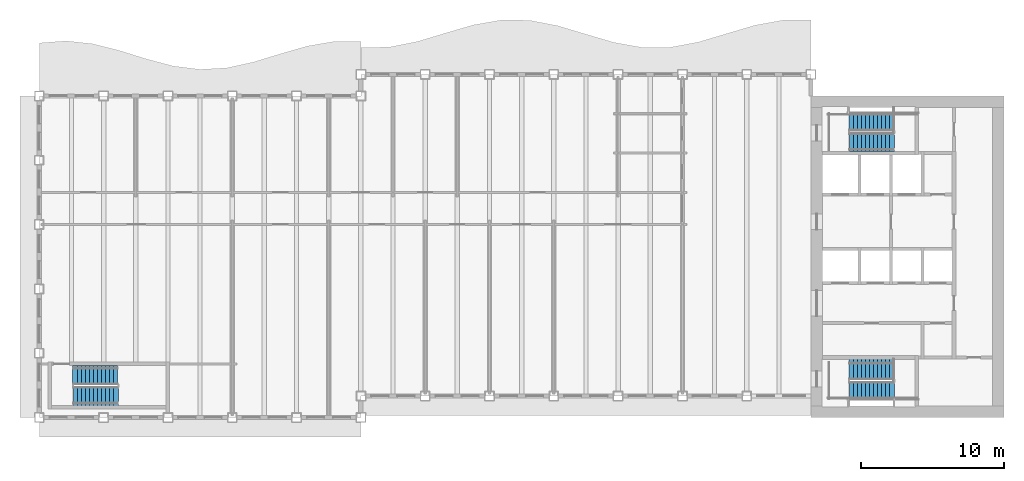
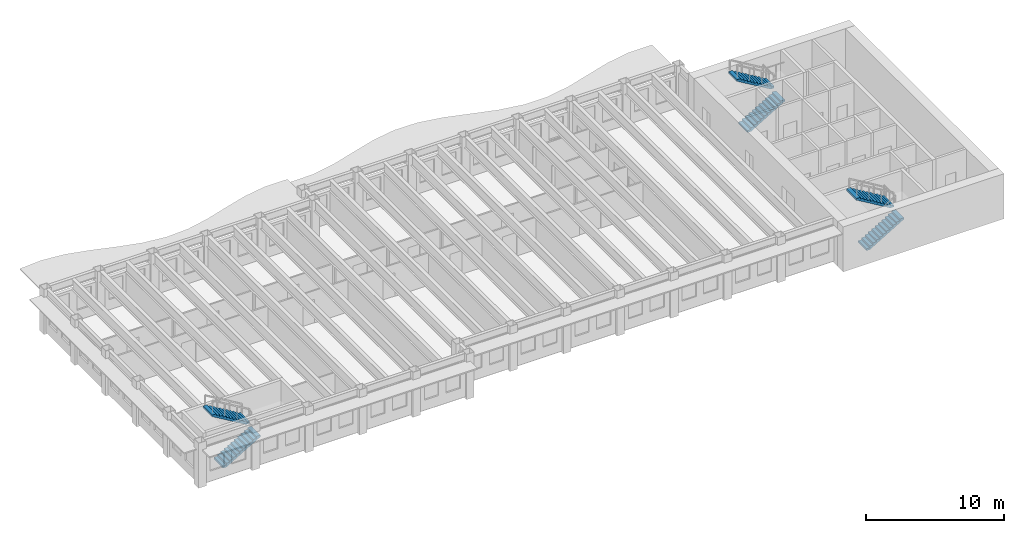
# One storey, part 7 of 12: 6 stair flights, 3 elements without a shape of their own.
"""IFC4 building model written with IfcOpenShell, lengths in metres."""

from ifc_helpers import new_model, si_unit, direction, frame, origin, place, context, subcontext, project, spatial, polyline, outline, extrude, material, type_object, element, aggregate, save


model = new_model("IFC4")

# Units and contexts
model_context = context("Model", 3, precision=1e-05, world=origin(), true_north=direction((0.0, 1.0)))
body_context = subcontext(model_context, "Body", "Model", "MODEL_VIEW")
ifc_project = project(units=[si_unit("LENGTHUNIT", "METRE"), si_unit("AREAUNIT", "SQUARE_METRE"), si_unit("VOLUMEUNIT", "CUBIC_METRE"), si_unit("PLANEANGLEUNIT", "RADIAN"), si_unit("MASSUNIT", "GRAM", prefix="KILO")], contexts=[model_context])

# Site, building, storey
site_placement = place(None, origin())
site = spatial("IfcSite", under=ifc_project, at=site_placement, CompositionType="ELEMENT")
building_placement = place(site_placement, origin())
building = spatial("IfcBuilding", under=site, at=building_placement, Name="Sennacour Bend Tower", CompositionType="ELEMENT")
storey_placement = place(building_placement, frame((0.0, 0.0, 285.0)))
storey = spatial("IfcBuildingStorey", under=building, at=storey_placement, Name="L66", CompositionType="ELEMENT", Elevation=285.0)

# Stair, stair flights
ifc_material = material(Name="Concrete C40/50", Category="concrete")
stair_type = type_object("IfcStairType", Name="ST-DOGLEG", PredefinedType="HALF_TURN_STAIR", material=ifc_material)
stair_1_placement = place(storey_placement, origin())
stair_1 = element("IfcStair", 1, at=stair_1_placement, inside=storey, type_object=stair_type, Name="L66 Exit stair A1", PredefinedType="HALF_TURN_STAIR")
stair_flight_type = type_object("IfcStairFlightType", Name="SFL-RC", PredefinedType="STRAIGHT", material=ifc_material)
stair_flight_1_placement = place(storey_placement, frame((56.699951171875, 1.89990234375, 0.0), z_axis=(0.0, 0.0, 1.0), x_axis=(1.0, 0.0, 0.0)))
stair_flight_1 = element("IfcStairFlight", 2, at=stair_flight_1_placement, type_object=stair_flight_type, Name="SA1 flight 1", NumberOfRisers=12, NumberOfTreads=11, PredefinedType="STRAIGHT", RiserHeight=0.166666667, TreadLength=0.28, context=body_context, shape_type="SweptSolid", body=[
    extrude(outline(polyline([(0.0, 0.0), (0.0, 0.166748046875), (0.280029296875, 0.166748046875), (0.280029296875, 0.333251953125), (0.56005859375, 0.333251953125), (0.56005859375, 0.5), (0.840087890625, 0.5), (0.840087890625, 0.666748046875), (1.1201171875, 0.666748046875), (1.1201171875, 0.833251953125), (1.39990234375, 0.833251953125), (1.39990234375, 1.0), (1.679931640625, 1.0), (1.679931640625, 1.166748046875), (1.9599609375, 1.166748046875), (1.9599609375, 1.333251953125), (2.239990234375, 1.333251953125), (2.239990234375, 1.5), (2.52001953125, 1.5), (2.52001953125, 1.666748046875), (2.800048828125, 1.666748046875), (2.800048828125, 1.833251953125), (3.080078125, 1.833251953125), (3.139892578125, 1.833251953125), (3.139892578125, 1.658935546875), (3.080078125, 1.658935546875), (0.29296875, 0.0), (0.0, 0.0)])), frame((0.0, 0.60009765625, 0.0), z_axis=(0.0, -1.0, 0.0), x_axis=(1.0, 0.0, 0.0)), (0.0, 0.0, 1.0), 1.199951171875),
])
stair_flight_2_placement = place(storey_placement, frame((59.780029296875, 3.37744140625, 2.0), z_axis=(0.0, 0.0, 1.0), x_axis=(-1.0, 0.0, 0.0)))
stair_flight_2 = element("IfcStairFlight", 3, at=stair_flight_2_placement, type_object=stair_flight_type, Name="SA1 flight 2", NumberOfRisers=12, NumberOfTreads=11, PredefinedType="STRAIGHT", RiserHeight=0.166666667, TreadLength=0.28, context=body_context, shape_type="SweptSolid", body=[
    extrude(outline(polyline([(0.0, 0.0), (0.0, 0.166748046875), (0.280029296875, 0.166748046875), (0.280029296875, 0.333251953125), (0.56005859375, 0.333251953125), (0.56005859375, 0.5), (0.840087890625, 0.5), (0.840087890625, 0.666748046875), (1.1201171875, 0.666748046875), (1.1201171875, 0.833251953125), (1.39990234375, 0.833251953125), (1.39990234375, 1.0), (1.679931640625, 1.0), (1.679931640625, 1.166748046875), (1.9599609375, 1.166748046875), (1.9599609375, 1.333251953125), (2.239990234375, 1.333251953125), (2.239990234375, 1.5), (2.52001953125, 1.5), (2.52001953125, 1.666748046875), (2.800048828125, 1.666748046875), (2.800048828125, 1.833251953125), (3.080078125, 1.833251953125), (3.139892578125, 1.833251953125), (3.139892578125, 1.658935546875), (3.080078125, 1.658935546875), (0.29296875, 0.0), (0.0, 0.0)])), frame((0.0, 0.7275390625, 0.0), z_axis=(0.0, -1.0, 0.0), x_axis=(1.0, 0.0, 0.0)), (0.0, 0.0, 1.0), 1.455078125),
])
aggregate(stair_1, [stair_flight_1, stair_flight_2])

stair_2_placement = place(storey_placement, origin())
stair_2 = element("IfcStair", 4, at=stair_2_placement, inside=storey, type_object=stair_type, Name="L66 Exit stair A2", PredefinedType="HALF_TURN_STAIR")
stair_flight_3_placement = place(storey_placement, frame((56.699951171875, 19.24755859375, 0.0), z_axis=(0.0, 0.0, 1.0), x_axis=(1.0, 0.0, 0.0)))
stair_flight_3 = element("IfcStairFlight", 5, at=stair_flight_3_placement, type_object=stair_flight_type, Name="SA2 flight 1", NumberOfRisers=12, NumberOfTreads=11, PredefinedType="STRAIGHT", RiserHeight=0.166666667, TreadLength=0.28, context=body_context, shape_type="SweptSolid", body=[
    extrude(outline(polyline([(0.0, 0.0), (0.0, 0.166748046875), (0.280029296875, 0.166748046875), (0.280029296875, 0.333251953125), (0.56005859375, 0.333251953125), (0.56005859375, 0.5), (0.840087890625, 0.5), (0.840087890625, 0.666748046875), (1.1201171875, 0.666748046875), (1.1201171875, 0.833251953125), (1.39990234375, 0.833251953125), (1.39990234375, 1.0), (1.679931640625, 1.0), (1.679931640625, 1.166748046875), (1.9599609375, 1.166748046875), (1.9599609375, 1.333251953125), (2.239990234375, 1.333251953125), (2.239990234375, 1.5), (2.52001953125, 1.5), (2.52001953125, 1.666748046875), (2.800048828125, 1.666748046875), (2.800048828125, 1.833251953125), (3.080078125, 1.833251953125), (3.139892578125, 1.833251953125), (3.139892578125, 1.658935546875), (3.080078125, 1.658935546875), (0.29296875, 0.0), (0.0, 0.0)])), frame((0.0, 0.65234375, 0.0), z_axis=(0.0, -1.0, 0.0), x_axis=(1.0, 0.0, 0.0)), (0.0, 0.0, 1.0), 1.304931640625),
])
stair_flight_4_placement = place(storey_placement, frame((59.780029296875, 20.64990234375, 2.0), z_axis=(0.0, 0.0, 1.0), x_axis=(-1.0, 0.0, 0.0)))
stair_flight_4 = element("IfcStairFlight", 6, at=stair_flight_4_placement, type_object=stair_flight_type, Name="SA2 flight 2", NumberOfRisers=12, NumberOfTreads=11, PredefinedType="STRAIGHT", RiserHeight=0.166666667, TreadLength=0.28, context=body_context, shape_type="SweptSolid", body=[
    extrude(outline(polyline([(0.0, 0.0), (0.0, 0.166748046875), (0.280029296875, 0.166748046875), (0.280029296875, 0.333251953125), (0.56005859375, 0.333251953125), (0.56005859375, 0.5), (0.840087890625, 0.5), (0.840087890625, 0.666748046875), (1.1201171875, 0.666748046875), (1.1201171875, 0.833251953125), (1.39990234375, 0.833251953125), (1.39990234375, 1.0), (1.679931640625, 1.0), (1.679931640625, 1.166748046875), (1.9599609375, 1.166748046875), (1.9599609375, 1.333251953125), (2.239990234375, 1.333251953125), (2.239990234375, 1.5), (2.52001953125, 1.5), (2.52001953125, 1.666748046875), (2.800048828125, 1.666748046875), (2.800048828125, 1.833251953125), (3.080078125, 1.833251953125), (3.139892578125, 1.833251953125), (3.139892578125, 1.658935546875), (3.080078125, 1.658935546875), (0.29296875, 0.0), (0.0, 0.0)])), frame((0.0, 0.60009765625, 0.0), z_axis=(0.0, -1.0, 0.0), x_axis=(1.0, 0.0, 0.0)), (0.0, 0.0, 1.0), 1.199951171875),
])
aggregate(stair_2, [stair_flight_3, stair_flight_4])

stair_3_placement = place(storey_placement, origin())
stair_3 = element("IfcStair", 7, at=stair_3_placement, inside=storey, type_object=stair_type, Name="L66 Exit stair K1", PredefinedType="HALF_TURN_STAIR")
stair_flight_5_placement = place(storey_placement, frame((2.39990234375, 1.485107421875, 0.0), z_axis=(0.0, 0.0, 1.0), x_axis=(1.0, 0.0, 0.0)))
stair_flight_5 = element("IfcStairFlight", 8, at=stair_flight_5_placement, type_object=stair_flight_type, Name="SK1 flight 1", NumberOfRisers=12, NumberOfTreads=11, PredefinedType="STRAIGHT", RiserHeight=0.166666667, TreadLength=0.28, context=body_context, shape_type="SweptSolid", body=[
    extrude(outline(polyline([(0.0, 0.0), (0.0, 0.166748046875), (0.280029296875, 0.166748046875), (0.280029296875, 0.333251953125), (0.56005859375, 0.333251953125), (0.56005859375, 0.5), (0.840087890625, 0.5), (0.840087890625, 0.666748046875), (1.1201171875, 0.666748046875), (1.1201171875, 0.833251953125), (1.39990234375, 0.833251953125), (1.39990234375, 1.0), (1.679931640625, 1.0), (1.679931640625, 1.166748046875), (1.9599609375, 1.166748046875), (1.9599609375, 1.333251953125), (2.239990234375, 1.333251953125), (2.239990234375, 1.5), (2.52001953125, 1.5), (2.52001953125, 1.666748046875), (2.800048828125, 1.666748046875), (2.800048828125, 1.833251953125), (3.080078125, 1.833251953125), (3.139892578125, 1.833251953125), (3.139892578125, 1.658935546875), (3.080078125, 1.658935546875), (0.29296875, 0.0), (0.0, 0.0)])), frame((0.0, 0.6650390625, 0.0), z_axis=(0.0, -1.0, 0.0), x_axis=(1.0, 0.0, 0.0)), (0.0, 0.0, 1.0), 1.330078125),
])
stair_flight_6_placement = place(storey_placement, frame((5.47998046875, 2.9775390625, 2.0), z_axis=(0.0, 0.0, 1.0), x_axis=(-1.0, 0.0, 0.0)))
stair_flight_6 = element("IfcStairFlight", 9, at=stair_flight_6_placement, type_object=stair_flight_type, Name="SK1 flight 2", NumberOfRisers=12, NumberOfTreads=11, PredefinedType="STRAIGHT", RiserHeight=0.166666667, TreadLength=0.28, context=body_context, shape_type="SweptSolid", body=[
    extrude(outline(polyline([(0.0, 0.0), (0.0, 0.166748046875), (0.280029296875, 0.166748046875), (0.280029296875, 0.333251953125), (0.56005859375, 0.333251953125), (0.56005859375, 0.5), (0.840087890625, 0.5), (0.840087890625, 0.666748046875), (1.1201171875, 0.666748046875), (1.1201171875, 0.833251953125), (1.39990234375, 0.833251953125), (1.39990234375, 1.0), (1.679931640625, 1.0), (1.679931640625, 1.166748046875), (1.9599609375, 1.166748046875), (1.9599609375, 1.333251953125), (2.239990234375, 1.333251953125), (2.239990234375, 1.5), (2.52001953125, 1.5), (2.52001953125, 1.666748046875), (2.800048828125, 1.666748046875), (2.800048828125, 1.833251953125), (3.080078125, 1.833251953125), (3.139892578125, 1.833251953125), (3.139892578125, 1.658935546875), (3.080078125, 1.658935546875), (0.29296875, 0.0), (0.0, 0.0)])), frame((0.0, 0.677490234375, 0.0), z_axis=(0.0, -1.0, 0.0), x_axis=(1.0, 0.0, 0.0)), (0.0, 0.0, 1.0), 1.35498046875),
])
aggregate(stair_3, [stair_flight_5, stair_flight_6])

save(model, "model.ifc")
